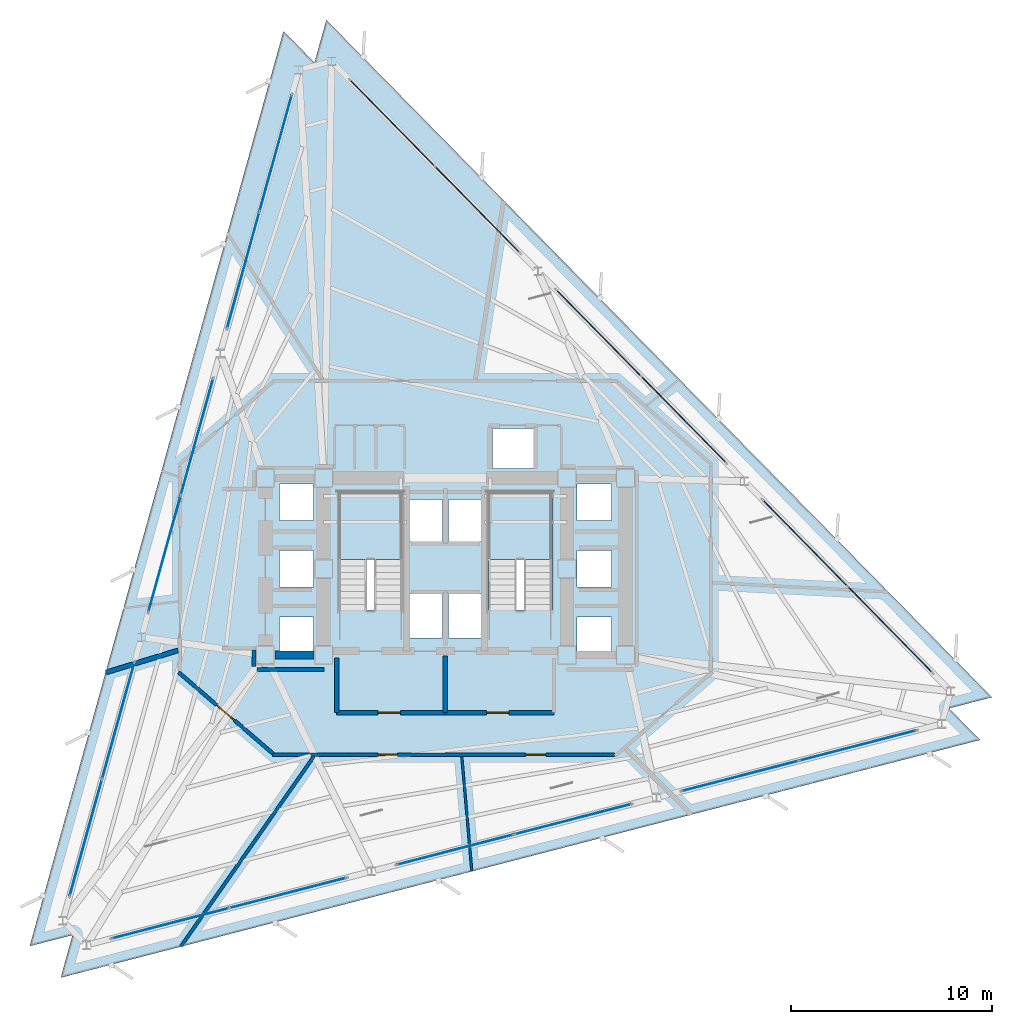
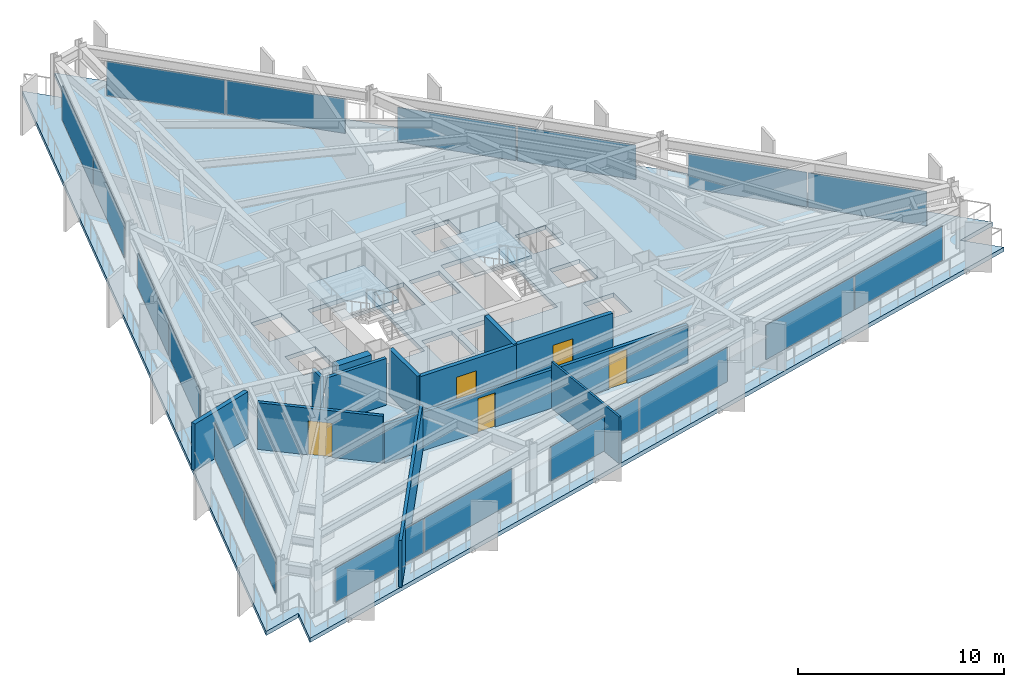
# One storey, part 6 of 11: 18 plates, 12 walls, 5 doors, 3 slabs, 5 openings, 11 elements without a shape of their own.
"""IFC4 building model written with IfcOpenShell, lengths in metres."""

from ifc_helpers import new_model, si_unit, direction, frame, frame_2d, origin, origin_2d, place, context, subcontext, project, spatial, polyline, rectangle, outline, extrude, material, layer, layer_set, type_object, element, fill, aggregate, save


model = new_model("IFC4")

# Units and contexts
model_context = context("Model", 3, precision=1e-05, world=origin(), true_north=direction((0.0, 1.0)))
body_context = subcontext(model_context, "Body", "Model", "MODEL_VIEW")
ifc_project = project(units=[si_unit("LENGTHUNIT", "METRE"), si_unit("AREAUNIT", "SQUARE_METRE"), si_unit("VOLUMEUNIT", "CUBIC_METRE"), si_unit("PLANEANGLEUNIT", "RADIAN"), si_unit("MASSUNIT", "GRAM", prefix="KILO")], contexts=[model_context])

# Site, building, storey
site_placement = place(None, origin())
site = spatial("IfcSite", under=ifc_project, at=site_placement, CompositionType="ELEMENT")
building_placement = place(site_placement, origin())
building = spatial("IfcBuilding", under=site, at=building_placement, Name="Rocaltana Carrier Exchange", CompositionType="ELEMENT")
storey_placement = place(building_placement, frame((0.0, 0.0, 91.679931640625)))
storey = spatial("IfcBuildingStorey", under=building, at=storey_placement, Name="L28", CompositionType="ELEMENT", Elevation=91.679931640625)

# Curtain wall, plates
ifc_material_1 = material(Name="Aluminium 6063-T6", Category="aluminium")
ifc_layer_1 = layer(ifc_material_1, 0.1650390625)
ifc_layer_set_1 = layer_set([ifc_layer_1], Name="Aluminium 6063-T6")
curtain_wall_type = type_object("IfcCurtainWallType", Name="Lower-Mid Stepped Curtain Wall CW-02", PredefinedType="NOTDEFINED", material=ifc_layer_set_1)
curtain_wall_1_placement = place(storey_placement, origin())
curtain_wall_1 = element("IfcCurtainWall", 1, at=curtain_wall_1_placement, inside=storey, type_object=curtain_wall_type, Name="L28 CW-02 Run CW-L28-F1S1", PredefinedType="NOTDEFINED")
ifc_material_2 = material(Name="Tempered Laminated Glass", Category="glass")
ifc_layer_2 = layer(ifc_material_2, 0.0419921875)
ifc_layer_set_2 = layer_set([ifc_layer_2], Name="Tempered Laminated Glass")
plate_type = type_object("IfcPlateType", Name="CW-02 Stone-Insulated Vision Panel", PredefinedType="CURTAIN_PANEL", material=ifc_layer_set_2)
plate_1_placement = place(storey_placement, frame((22.10400390625, -3.02490234375, 0.06494140625), z_axis=(0.0, 0.0, 1.0), x_axis=(-0.700915045542, 0.713244767898, 0.0)))
plate_1 = element("IfcPlate", 2, at=plate_1_placement, type_object=plate_type, Name="CW-02 panel 1.1", PredefinedType="CURTAIN_PANEL", context=body_context, shape_type="SweptSolid", body=[
    extrude(rectangle(XDim=5.96923828125, YDim=0.0419921875, at=origin_2d()), origin(), (0.0, 0.0, 1.0), 2.0380859375),
])
plate_2_placement = place(storey_placement, frame((17.874755859375, 1.279052734375, 0.06494140625), z_axis=(0.0, 0.0, 1.0), x_axis=(-0.700915045542, 0.713244767898, 0.0)))
plate_2 = element("IfcPlate", 3, at=plate_2_placement, type_object=plate_type, Name="CW-02 panel 2.1", PredefinedType="CURTAIN_PANEL", context=body_context, shape_type="SweptSolid", body=[
    extrude(rectangle(XDim=5.96923828125, YDim=0.0419921875, at=origin_2d()), origin(), (0.0, 0.0, 1.0), 2.0380859375),
])
aggregate(curtain_wall_1, [plate_1, plate_2])

curtain_wall_2_placement = place(storey_placement, origin())
curtain_wall_2 = element("IfcCurtainWall", 4, at=curtain_wall_2_placement, inside=storey, type_object=curtain_wall_type, Name="L28 CW-02 Run CW-L28-F1S2", PredefinedType="NOTDEFINED")
plate_3_placement = place(storey_placement, frame((11.847412109375, 7.412353515625, 0.06494140625), z_axis=(0.0, 0.0, 1.0), x_axis=(-0.700915118017, 0.713244696676, 0.0)))
plate_3 = element("IfcPlate", 5, at=plate_3_placement, type_object=plate_type, Name="CW-02 panel 1.1", PredefinedType="CURTAIN_PANEL", context=body_context, shape_type="SweptSolid", body=[
    extrude(rectangle(XDim=5.96923828125, YDim=0.0419921875, at=origin_2d()), origin(), (0.0, 0.0, 1.0), 2.0380859375),
])
plate_4_placement = place(storey_placement, frame((7.617919921875, 11.71630859375, 0.06494140625), z_axis=(0.0, 0.0, 1.0), x_axis=(-0.700915118017, 0.713244696676, 0.0)))
plate_4 = element("IfcPlate", 6, at=plate_4_placement, type_object=plate_type, Name="CW-02 panel 2.1", PredefinedType="CURTAIN_PANEL", context=body_context, shape_type="SweptSolid", body=[
    extrude(rectangle(XDim=5.96923828125, YDim=0.0419921875, at=origin_2d()), origin(), (0.0, 0.0, 1.0), 2.0380859375),
])
aggregate(curtain_wall_2, [plate_3, plate_4])

curtain_wall_3_placement = place(storey_placement, origin())
curtain_wall_3 = element("IfcCurtainWall", 7, at=curtain_wall_3_placement, inside=storey, type_object=curtain_wall_type, Name="L28 CW-02 Run CW-L28-F1S3", PredefinedType="NOTDEFINED")
plate_5_placement = place(storey_placement, frame((1.5908203125, 17.849609375, 0.06494140625), z_axis=(0.0, 0.0, 1.0), x_axis=(-0.700915045542, 0.713244767898, 0.0)))
plate_5 = element("IfcPlate", 8, at=plate_5_placement, type_object=plate_type, Name="CW-02 panel 1.1", PredefinedType="CURTAIN_PANEL", context=body_context, shape_type="SweptSolid", body=[
    extrude(rectangle(XDim=5.96923828125, YDim=0.0419921875, at=origin_2d()), origin(), (0.0, 0.0, 1.0), 2.0380859375),
])
plate_6_placement = place(storey_placement, frame((-2.638671875, 22.153564453125, 0.06494140625), z_axis=(0.0, 0.0, 1.0), x_axis=(-0.700915045542, 0.713244767898, 0.0)))
plate_6 = element("IfcPlate", 9, at=plate_6_placement, type_object=plate_type, Name="CW-02 panel 2.1", PredefinedType="CURTAIN_PANEL", context=body_context, shape_type="SweptSolid", body=[
    extrude(rectangle(XDim=5.96923828125, YDim=0.0419921875, at=origin_2d()), origin(), (0.0, 0.0, 1.0), 2.0380859375),
])
aggregate(curtain_wall_3, [plate_5, plate_6])

curtain_wall_4_placement = place(storey_placement, origin())
curtain_wall_4 = element("IfcCurtainWall", 10, at=curtain_wall_4_placement, inside=storey, type_object=curtain_wall_type, Name="L28 CW-02 Run CW-L28-F2S1", PredefinedType="NOTDEFINED")
plate_7_placement = place(storey_placement, frame((-8.432373046875, 20.655029296875, 0.06494140625), z_axis=(0.0, 0.0, 1.0), x_axis=(-0.267245546918, -0.96362846453, 0.0)))
plate_7 = element("IfcPlate", 11, at=plate_7_placement, type_object=plate_type, Name="CW-02 panel 1.1", PredefinedType="CURTAIN_PANEL", context=body_context, shape_type="SweptSolid", body=[
    extrude(rectangle(XDim=5.96923828125, YDim=0.0419921875, at=origin_2d()), origin(), (0.0, 0.0, 1.0), 2.0380859375),
])
plate_8_placement = place(storey_placement, frame((-10.045166015625, 14.84033203125, 0.06494140625), z_axis=(0.0, 0.0, 1.0), x_axis=(-0.267245546918, -0.96362846453, 0.0)))
plate_8 = element("IfcPlate", 12, at=plate_8_placement, type_object=plate_type, Name="CW-02 panel 2.1", PredefinedType="CURTAIN_PANEL", context=body_context, shape_type="SweptSolid", body=[
    extrude(rectangle(XDim=5.96923828125, YDim=0.0419921875, at=origin_2d()), origin(), (0.0, 0.0, 1.0), 2.0380859375),
])
aggregate(curtain_wall_4, [plate_7, plate_8])

curtain_wall_5_placement = place(storey_placement, origin())
curtain_wall_5 = element("IfcCurtainWall", 13, at=curtain_wall_5_placement, inside=storey, type_object=curtain_wall_type, Name="L28 CW-02 Run CW-L28-F2S2", PredefinedType="NOTDEFINED")
plate_9_placement = place(storey_placement, frame((-12.343017578125, 6.553955078125, 0.06494140625), z_axis=(0.0, 0.0, 1.0), x_axis=(-0.267237893807, -0.963630586954, 0.0)))
plate_9 = element("IfcPlate", 14, at=plate_9_placement, type_object=plate_type, Name="CW-02 panel 1.1", PredefinedType="CURTAIN_PANEL", context=body_context, shape_type="SweptSolid", body=[
    extrude(rectangle(XDim=5.96923828125, YDim=0.0419921875, at=origin_2d()), origin(), (0.0, 0.0, 1.0), 2.0380859375),
])
plate_10_placement = place(storey_placement, frame((-13.95556640625, 0.7392578125, 0.06494140625), z_axis=(0.0, 0.0, 1.0), x_axis=(-0.267237893807, -0.963630586954, 0.0)))
plate_10 = element("IfcPlate", 15, at=plate_10_placement, type_object=plate_type, Name="CW-02 panel 2.1", PredefinedType="CURTAIN_PANEL", context=body_context, shape_type="SweptSolid", body=[
    extrude(rectangle(XDim=5.96923828125, YDim=0.0419921875, at=origin_2d()), origin(), (0.0, 0.0, 1.0), 2.0380859375),
])
aggregate(curtain_wall_5, [plate_9, plate_10])

curtain_wall_6_placement = place(storey_placement, origin())
curtain_wall_6 = element("IfcCurtainWall", 16, at=curtain_wall_6_placement, inside=storey, type_object=curtain_wall_type, Name="L28 CW-02 Run CW-L28-F2S3", PredefinedType="NOTDEFINED")
plate_11_placement = place(storey_placement, frame((-16.253662109375, -7.547119140625, 0.06494140625), z_axis=(0.0, 0.0, 1.0), x_axis=(-0.267243424491, -0.963629053146, 0.0)))
plate_11 = element("IfcPlate", 17, at=plate_11_placement, type_object=plate_type, Name="CW-02 panel 1.1", PredefinedType="CURTAIN_PANEL", context=body_context, shape_type="SweptSolid", body=[
    extrude(rectangle(XDim=5.96923828125, YDim=0.0419921875, at=origin_2d()), origin(), (0.0, 0.0, 1.0), 2.0380859375),
])
plate_12_placement = place(storey_placement, frame((-17.8662109375, -13.36181640625, 0.06494140625), z_axis=(0.0, 0.0, 1.0), x_axis=(-0.267243424491, -0.963629053146, 0.0)))
plate_12 = element("IfcPlate", 18, at=plate_12_placement, type_object=plate_type, Name="CW-02 panel 2.1", PredefinedType="CURTAIN_PANEL", context=body_context, shape_type="SweptSolid", body=[
    extrude(rectangle(XDim=5.96923828125, YDim=0.0419921875, at=origin_2d()), origin(), (0.0, 0.0, 1.0), 2.0380859375),
])
aggregate(curtain_wall_6, [plate_11, plate_12])

curtain_wall_7_placement = place(storey_placement, origin())
curtain_wall_7 = element("IfcCurtainWall", 19, at=curtain_wall_7_placement, inside=storey, type_object=curtain_wall_type, Name="L28 CW-02 Run CW-L28-F3S1", PredefinedType="NOTDEFINED")
plate_13_placement = place(storey_placement, frame((-13.671630859375, -17.63037109375, 0.06494140625), z_axis=(0.0, 0.0, 1.0), x_axis=(0.968148220548, 0.250377760692, 0.0)))
plate_13 = element("IfcPlate", 20, at=plate_13_placement, type_object=plate_type, Name="CW-02 panel 1.1", PredefinedType="CURTAIN_PANEL", context=body_context, shape_type="SweptSolid", body=[
    extrude(rectangle(XDim=5.96923828125, YDim=0.0419921875, at=origin_2d()), origin(), (0.0, 0.0, 1.0), 2.0380859375),
])
plate_14_placement = place(storey_placement, frame((-7.82958984375, -16.119384765625, 0.06494140625), z_axis=(0.0, 0.0, 1.0), x_axis=(0.968148220548, 0.250377760692, 0.0)))
plate_14 = element("IfcPlate", 21, at=plate_14_placement, type_object=plate_type, Name="CW-02 panel 2.1", PredefinedType="CURTAIN_PANEL", context=body_context, shape_type="SweptSolid", body=[
    extrude(rectangle(XDim=5.96923828125, YDim=0.0419921875, at=origin_2d()), origin(), (0.0, 0.0, 1.0), 2.0380859375),
])
aggregate(curtain_wall_7, [plate_13, plate_14])

curtain_wall_8_placement = place(storey_placement, origin())
curtain_wall_8 = element("IfcCurtainWall", 22, at=curtain_wall_8_placement, inside=storey, type_object=curtain_wall_type, Name="L28 CW-02 Run CW-L28-F3S2", PredefinedType="NOTDEFINED")
plate_15_placement = place(storey_placement, frame((0.49560546875, -13.96630859375, 0.06494140625), z_axis=(0.0, 0.0, 1.0), x_axis=(0.968148220548, 0.250377760692, 0.0)))
plate_15 = element("IfcPlate", 23, at=plate_15_placement, type_object=plate_type, Name="CW-02 panel 1.1", PredefinedType="CURTAIN_PANEL", context=body_context, shape_type="SweptSolid", body=[
    extrude(rectangle(XDim=5.96923828125, YDim=0.0419921875, at=origin_2d()), origin(), (0.0, 0.0, 1.0), 2.0380859375),
])
plate_16_placement = place(storey_placement, frame((6.337646484375, -12.45556640625, 0.06494140625), z_axis=(0.0, 0.0, 1.0), x_axis=(0.968148220548, 0.250377760692, 0.0)))
plate_16 = element("IfcPlate", 24, at=plate_16_placement, type_object=plate_type, Name="CW-02 panel 2.1", PredefinedType="CURTAIN_PANEL", context=body_context, shape_type="SweptSolid", body=[
    extrude(rectangle(XDim=5.96923828125, YDim=0.0419921875, at=origin_2d()), origin(), (0.0, 0.0, 1.0), 2.0380859375),
])
aggregate(curtain_wall_8, [plate_15, plate_16])

curtain_wall_9_placement = place(storey_placement, origin())
curtain_wall_9 = element("IfcCurtainWall", 25, at=curtain_wall_9_placement, inside=storey, type_object=curtain_wall_type, Name="L28 CW-02 Run CW-L28-F3S3", PredefinedType="NOTDEFINED")
plate_17_placement = place(storey_placement, frame((14.662841796875, -10.302490234375, 0.06494140625), z_axis=(0.0, 0.0, 1.0), x_axis=(0.96815021836, 0.250370035526, 0.0)))
plate_17 = element("IfcPlate", 26, at=plate_17_placement, type_object=plate_type, Name="CW-02 panel 1.1", PredefinedType="CURTAIN_PANEL", context=body_context, shape_type="SweptSolid", body=[
    extrude(rectangle(XDim=5.96923828125, YDim=0.0419921875, at=origin_2d()), origin(), (0.0, 0.0, 1.0), 2.0380859375),
])
plate_18_placement = place(storey_placement, frame((20.5048828125, -8.791748046875, 0.06494140625), z_axis=(0.0, 0.0, 1.0), x_axis=(0.96815021836, 0.250370035526, 0.0)))
plate_18 = element("IfcPlate", 27, at=plate_18_placement, type_object=plate_type, Name="CW-02 panel 2.1", PredefinedType="CURTAIN_PANEL", context=body_context, shape_type="SweptSolid", body=[
    extrude(rectangle(XDim=5.96923828125, YDim=0.0419921875, at=origin_2d()), origin(), (0.0, 0.0, 1.0), 2.0380859375),
])
aggregate(curtain_wall_9, [plate_17, plate_18])

# Slab
ifc_material_3 = material(Name="Concrete C50/60", Category="concrete")
ifc_layer_3 = layer(ifc_material_3, 0.25)
ifc_layer_set_3 = layer_set([ifc_layer_3], Name="Concrete C50/60")
slab_type_1 = type_object("IfcSlabType", Name="Mid-Zone Tower Slab 250", PredefinedType="FLOOR", material=ifc_layer_set_3)
slab_1_placement = place(storey_placement, frame((0.0, 0.0, -0.25)))
element("IfcSlab", 28, at=slab_1_placement, inside=storey, type_object=slab_type_1, Name="L28 Structural Floor Slab", PredefinedType="FLOOR", context=body_context, shape_type="SweptSolid", body=[
    extrude(outline(polyline([(26.577880859375, -8.51220703125), (25.035888671875, -6.943115234375), (27.165771484375, -6.39208984375), (-5.9169921875, 27.273193359375), (-6.505126953125, 25.1533203125), (-8.047119140625, 26.722412109375), (-20.66064453125, -18.760986328125), (-18.53076171875, -18.210205078125), (-19.11865234375, -20.330078125), (26.577880859375, -8.51220703125)]), holes=[polyline([(-5.300048828125, -2.06005859375), (-2.139892578125, -2.06005859375), (-2.139892578125, 3.800048828125), (-5.300048828125, 3.800048828125), (-5.300048828125, -2.06005859375)]), polyline([(2.139892578125, -2.06005859375), (5.300048828125, -2.06005859375), (5.300048828125, 3.800048828125), (2.139892578125, 3.800048828125), (2.139892578125, -2.06005859375)]), polyline([(-1.85009765625, -3.449951171875), (-0.14990234375, -3.449951171875), (-0.14990234375, -1.25), (-1.85009765625, -1.25), (-1.85009765625, -3.449951171875)]), polyline([(0.14990234375, -3.449951171875), (1.85009765625, -3.449951171875), (1.85009765625, -1.25), (0.14990234375, -1.25), (0.14990234375, -3.449951171875)]), polyline([(2.35009765625, 4.97998046875), (4.39990234375, 4.97998046875), (4.39990234375, 6.97998046875), (2.35009765625, 6.97998046875), (2.35009765625, 4.97998046875)]), polyline([(-1.85009765625, 1.35009765625), (-0.14990234375, 1.35009765625), (-0.14990234375, 3.449951171875), (-1.85009765625, 3.449951171875), (-1.85009765625, 1.35009765625)]), polyline([(0.14990234375, 1.35009765625), (1.85009765625, 1.35009765625), (1.85009765625, 3.449951171875), (0.14990234375, 3.449951171875), (0.14990234375, 1.35009765625)]), polyline([(-8.25, -4.199951171875), (-6.550048828125, -4.199951171875), (-6.550048828125, -2.39990234375), (-8.25, -2.39990234375), (-8.25, -4.199951171875)]), polyline([(-8.25, -0.89990234375), (-6.550048828125, -0.89990234375), (-6.550048828125, 0.89990234375), (-8.25, 0.89990234375), (-8.25, -0.89990234375)]), polyline([(-8.25, 2.39990234375), (-6.550048828125, 2.39990234375), (-6.550048828125, 4.199951171875), (-8.25, 4.199951171875), (-8.25, 2.39990234375)]), polyline([(6.550048828125, -4.199951171875), (8.25, -4.199951171875), (8.25, -2.39990234375), (6.550048828125, -2.39990234375), (6.550048828125, -4.199951171875)]), polyline([(6.550048828125, -0.89990234375), (8.25, -0.89990234375), (8.25, 0.89990234375), (6.550048828125, 0.89990234375), (6.550048828125, -0.89990234375)]), polyline([(6.550048828125, 2.39990234375), (8.25, 2.39990234375), (8.25, 4.199951171875), (6.550048828125, 4.199951171875), (6.550048828125, 2.39990234375)])]), origin(), (0.0, 0.0, 1.0), 0.25),
])

# Stair, slab
ifc_material_4 = material(Name="Precast concrete C45/55", Category="concrete")
stair_type = type_object("IfcStairType", Name="Standard Dog-Leg Stair 160", PredefinedType="HALF_TURN_STAIR", material=ifc_material_4)
stair_1_placement = place(storey_placement, origin())
stair_1 = element("IfcStair", 29, at=stair_1_placement, inside=storey, type_object=stair_type, Name="L28 Core West Exit Stair ST-1", PredefinedType="HALF_TURN_STAIR")
ifc_material_5 = material(Name="Precast concrete C45/55", Category="concrete")
ifc_layer_4 = layer(ifc_material_5, 0.199951171875)
ifc_layer_set_4 = layer_set([ifc_layer_4], Name="Precast concrete C45/55")
slab_type_2 = type_object("IfcSlabType", Name="Precast Stair Half-Landing 200", PredefinedType="LANDING", material=ifc_layer_set_4)
slab_2_placement = place(storey_placement, frame((0.0, 0.0, 1.320068359375)))
slab_2 = element("IfcSlab", 30, at=slab_2_placement, type_object=slab_type_2, Name="ST-1 landing 1", PredefinedType="LANDING", context=body_context, shape_type="SweptSolid", body=[
    extrude(outline(polyline([(-2.139892578125, 0.4599609375), (-2.139892578125, 3.800048828125), (-5.300048828125, 3.800048828125), (-5.300048828125, 0.4599609375), (-2.139892578125, 0.4599609375)])), origin(), (0.0, 0.0, 1.0), 0.199951171875),
])
aggregate(stair_1, [slab_2])

stair_2_placement = place(storey_placement, origin())
stair_2 = element("IfcStair", 31, at=stair_2_placement, inside=storey, type_object=stair_type, Name="L28 Core East Exit Stair ST-2", PredefinedType="HALF_TURN_STAIR")
slab_3_placement = place(storey_placement, frame((0.0, 0.0, 1.320068359375)))
slab_3 = element("IfcSlab", 32, at=slab_3_placement, type_object=slab_type_2, Name="ST-2 landing 1", PredefinedType="LANDING", context=body_context, shape_type="SweptSolid", body=[
    extrude(outline(polyline([(5.300048828125, 0.4599609375), (5.300048828125, 3.800048828125), (2.139892578125, 3.800048828125), (2.139892578125, 0.4599609375), (5.300048828125, 0.4599609375)])), origin(), (0.0, 0.0, 1.0), 0.199951171875),
])
aggregate(stair_2, [slab_3])

# Walls
ifc_material_6 = material(Name="Double Acoustic Gypsum Partition", Category="gypsum")
ifc_layer_5 = layer(ifc_material_6, 0.159912109375)
ifc_layer_set_5 = layer_set([ifc_layer_5], Name="Double Acoustic Gypsum Partition")
wall_type_1 = type_object("IfcWallType", Name="Acoustic Studio Partition 160 EI60", PredefinedType="PARTITIONING", material=ifc_layer_set_5)
wall_1_placement = place(storey_placement, frame((-6.532958984375, -9.330078125, 0.0), z_axis=(0.0, 0.0, 1.0), x_axis=(-0.573567496354, -0.81915830407, 0.0)))
element("IfcWall", 33, at=wall_1_placement, inside=storey, type_object=wall_type_1, Name="L28 Suite Divider Wall D3", PredefinedType="PARTITIONING", context=body_context, shape_type="SweptSolid", body=[
    extrude(rectangle(XDim=11.530517578125, YDim=0.159912109375, at=frame_2d((5.76513671875, 0.0))), origin(), (0.0, 0.0, 1.0), 2.76318359375),
])
ifc_material_7 = material(Name="Concrete C50/60", Category="concrete")
ifc_layer_6 = layer(ifc_material_7, 0.39990234375)
ifc_layer_set_6 = layer_set([ifc_layer_6], Name="Concrete C50/60")
wall_type_2 = type_object("IfcWallType", Name="Core Internal Shear Wall 400", PredefinedType="SHEAR", material=ifc_layer_set_6)
wall_2_placement = place(storey_placement, frame((-8.47509765625, -4.300048828125, 0.0), z_axis=(0.0, 0.0, 1.0), x_axis=(1.0, 0.0, 0.0)))
element("IfcWall", 34, at=wall_2_placement, inside=storey, type_object=wall_type_2, Name="L28 Core Shear Wall CW-WWS", PredefinedType="SHEAR", context=body_context, shape_type="SweptSolid", body=[
    extrude(rectangle(XDim=1.9501953125, YDim=0.39990234375, at=frame_2d((0.97509765625, 0.0))), origin(), (0.0, 0.0, 1.0), 2.7880859375),
])

# Wall, openings, doors
ifc_material_8 = material(Name="Gypsum & Steel Stud Partition", Category="steel")
ifc_layer_7 = layer(ifc_material_8, 0.179931640625)
ifc_layer_set_7 = layer_set([ifc_layer_7], Name="Gypsum & Steel Stud Partition")
wall_type_3 = type_object("IfcWallType", Name="Corridor Fire Partition 180 EI60", PredefinedType="PARTITIONING", material=ifc_layer_set_7)
wall_3_placement = place(storey_placement, frame((8.409912109375, -9.25, 0.0), z_axis=(0.0, 0.0, 1.0), x_axis=(-1.0, 0.0, 0.0)))
wall_3 = element("IfcWall", 35, at=wall_3_placement, inside=storey, type_object=wall_type_3, Name="L28 Corridor Partition 5", PredefinedType="PARTITIONING", context=body_context, shape_type="SweptSolid", body=[
    extrude(rectangle(XDim=17.0, YDim=0.179931640625, at=frame_2d((8.5, 0.0))), origin(), (0.0, 0.0, 1.0), 2.277099609375),
])
opening_1_placement = place(wall_3_placement, frame((10.795166015625, 0.0, 0.0)))
opening_1 = element("IfcOpeningElement", 36, at=opening_1_placement, cuts=wall_3, Name="Opening D-RM098", PredefinedType="OPENING", context=body_context, shape_type="SweptSolid", body=[
    extrude(rectangle(XDim=0.9599609375, YDim=2.02001953125, at=frame_2d((0.47998046875, 1.010009765625))), frame((0.0, 0.099853515625, 0.0), z_axis=(0.0, -1.0, 0.0), x_axis=(1.0, 0.0, 0.0)), (0.0, 0.0, 1.0), 0.199951171875),
])
opening_2_placement = place(wall_3_placement, frame((3.4169921875, 0.0, 0.0)))
opening_2 = element("IfcOpeningElement", 37, at=opening_2_placement, cuts=wall_3, Name="Opening D-LB104", PredefinedType="OPENING", context=body_context, shape_type="SweptSolid", body=[
    extrude(rectangle(XDim=1.02001953125, YDim=2.02001953125, at=frame_2d((0.510009765625, 1.010009765625))), frame((0.0, 0.099853515625, 0.0), z_axis=(0.0, -1.0, 0.0), x_axis=(1.0, 0.0, 0.0)), (0.0, 0.0, 1.0), 0.199951171875),
])
ifc_material_9 = material(Name="Powder-Coated Aluminium 6063-T6", Category="aluminium")
door_type_1 = type_object("IfcDoorType", Name="Laboratory Acoustic Door 1020x2020", OperationType="NOTDEFINED", PredefinedType="DOOR", material=ifc_material_9)
door_1_placement = place(opening_2_placement, origin())
door_1 = element("IfcDoor", 38, at=door_1_placement, inside=storey, type_object=door_type_1, Name="L28 Optical Switching Laboratory Entrance Door", OperationType="SINGLE_SWING_LEFT", OverallHeight=2.02001953125, OverallWidth=1.02001953125, PredefinedType="DOOR", context=body_context, shape_type="SweptSolid", body=[
    extrude(rectangle(XDim=1.02001953125, YDim=2.02001953125, at=frame_2d((0.510009765625, 1.010009765625))), frame((0.0, 0.02490234375, 0.0), z_axis=(0.0, -1.0, 0.0), x_axis=(1.0, 0.0, 0.0)), (0.0, 0.0, 1.0), 0.050048828125),
])
fill(opening_2, door_1)
ifc_material_10 = material(Name="Engineered Hardwood Timber", Category="wood")
door_type_2 = type_object("IfcDoorType", Name="Workspace Single Door 960x2020", OperationType="NOTDEFINED", PredefinedType="DOOR", material=ifc_material_10)
door_2_placement = place(opening_1_placement, origin())
door_2 = element("IfcDoor", 39, at=door_2_placement, inside=storey, type_object=door_type_2, Name="L28 Cloud Architecture Office Entrance Door", OperationType="SINGLE_SWING_RIGHT", OverallHeight=2.02001953125, OverallWidth=0.9599609375, PredefinedType="DOOR", context=body_context, shape_type="SweptSolid", body=[
    extrude(rectangle(XDim=0.9599609375, YDim=2.02001953125, at=frame_2d((0.47998046875, 1.010009765625))), frame((0.0, 0.02490234375, 0.0), z_axis=(0.0, -1.0, 0.0), x_axis=(1.0, 0.0, 0.0)), (0.0, 0.0, 1.0), 0.050048828125),
])
fill(opening_1, door_2)

# Wall, opening, door
wall_4_placement = place(storey_placement, frame((-8.568115234375, -9.191162109375, 0.0), z_axis=(0.0, 0.0, 1.0), x_axis=(-0.757556899173, 0.652769135694, 0.0)))
wall_4 = element("IfcWall", 40, at=wall_4_placement, inside=storey, type_object=wall_type_3, Name="L28 Corridor Partition 6", PredefinedType="PARTITIONING", context=body_context, shape_type="SweptSolid", body=[
    extrude(rectangle(XDim=6.204345703125, YDim=0.179931640625, at=frame_2d((3.10205078125, 0.0))), origin(), (0.0, 0.0, 1.0), 2.76318359375),
])
opening_3_placement = place(wall_4_placement, frame((2.51220703125, 0.0, 0.0)))
opening_3 = element("IfcOpeningElement", 41, at=opening_3_placement, cuts=wall_4, Name="Opening D-SU120", PredefinedType="OPENING", context=body_context, shape_type="SweptSolid", body=[
    extrude(rectangle(XDim=1.179931640625, YDim=2.02001953125, at=frame_2d((0.58984375, 1.010009765625))), frame((0.0, 0.099853515625, 0.0), z_axis=(0.0, -1.0, 0.0), x_axis=(1.0, 0.0, 0.0)), (0.0, 0.0, 1.0), 0.199951171875),
])
ifc_material_11 = material(Name="Engineered Hardwood Timber", Category="wood")
door_type_3 = type_object("IfcDoorType", Name="Suite Double Entrance Door 1180x2020", OperationType="NOTDEFINED", PredefinedType="DOOR", material=ifc_material_11)
door_3_placement = place(opening_3_placement, origin())
door_3 = element("IfcDoor", 42, at=door_3_placement, inside=storey, type_object=door_type_3, Name="L28 Carrier Peering Suite Entrance Door", OperationType="SINGLE_SWING_LEFT", OverallHeight=2.02001953125, OverallWidth=1.179931640625, PredefinedType="DOOR", context=body_context, shape_type="SweptSolid", body=[
    extrude(rectangle(XDim=1.179931640625, YDim=2.02001953125, at=frame_2d((0.58984375, 1.010009765625))), frame((0.0, 0.02490234375, 0.0), z_axis=(0.0, -1.0, 0.0), x_axis=(1.0, 0.0, 0.0)), (0.0, 0.0, 1.0), 0.050048828125),
])
fill(opening_3, door_3)

# Walls
wall_5_placement = place(storey_placement, frame((-9.510009765625, -4.050048828125, 0.0), z_axis=(0.0, 0.0, 1.0), x_axis=(0.0, -1.0, 0.0)))
element("IfcWall", 43, at=wall_5_placement, inside=storey, type_object=wall_type_3, Name="L28 Corridor Partition 12", PredefinedType="PARTITIONING", context=body_context, shape_type="SweptSolid", body=[
    extrude(rectangle(XDim=0.820068359375, YDim=0.179931640625, at=frame_2d((0.41015625, 0.0))), origin(), (0.0, 0.0, 1.0), 2.76318359375),
])
wall_6_placement = place(storey_placement, frame((-9.3701171875, -5.010009765625, 0.0), z_axis=(0.0, 0.0, 1.0), x_axis=(1.0, 0.0, 0.0)))
element("IfcWall", 44, at=wall_6_placement, inside=storey, type_object=wall_type_3, Name="L28 Corridor Partition 13", PredefinedType="PARTITIONING", context=body_context, shape_type="SweptSolid", body=[
    extrude(rectangle(XDim=3.340087890625, YDim=0.179931640625, at=frame_2d((1.669921875, 0.0))), origin(), (0.0, 0.0, 1.0), 2.76318359375),
])
ifc_material_12 = material(Name="Aluminium 6063-T6 & Acoustic Glass", Category="aluminium")
ifc_layer_8 = layer(ifc_material_12, 0.114990234375)
ifc_layer_set_8 = layer_set([ifc_layer_8], Name="Aluminium 6063-T6 & Acoustic Glass")
wall_type_4 = type_object("IfcWallType", Name="Demountable Glazed Lab Partition 115", PredefinedType="MOVABLE", material=ifc_layer_set_8)
wall_7_placement = place(storey_placement, frame((0.81640625, -9.330078125, 0.0), z_axis=(0.0, 0.0, 1.0), x_axis=(0.087137335428, -0.996196308352, 0.0)))
element("IfcWall", 45, at=wall_7_placement, inside=storey, type_object=wall_type_4, Name="L28 Suite Divider Wall D4", PredefinedType="MOVABLE", context=body_context, shape_type="SweptSolid", body=[
    extrude(rectangle(XDim=5.726806640625, YDim=0.114990234375, at=frame_2d((2.86328125, 0.0))), origin(), (0.0, 0.0, 1.0), 2.76318359375),
])
ifc_material_13 = material(Name="Autoclaved Aerated Concrete C30/37", Category="concrete")
ifc_layer_9 = layer(ifc_material_13, 0.219970703125)
ifc_layer_set_9 = layer_set([ifc_layer_9], Name="Autoclaved Aerated Concrete C30/37")
wall_type_5 = type_object("IfcWallType", Name="Firefighting Lobby Wall 220 EI120", PredefinedType="PARTITIONING", material=ifc_layer_set_9)
wall_8_placement = place(storey_placement, frame((-5.39990234375, -7.159912109375, 0.0), z_axis=(0.0, 0.0, 1.0), x_axis=(0.0, 1.0, 0.0)))
element("IfcWall", 46, at=wall_8_placement, inside=storey, type_object=wall_type_5, Name="L28 FFL Lobby 1 West Wall", PredefinedType="PARTITIONING", context=body_context, shape_type="SweptSolid", body=[
    extrude(rectangle(XDim=2.7099609375, YDim=0.219970703125, at=frame_2d((1.35498046875, 0.0))), origin(), (0.0, 0.0, 1.0), 2.76318359375),
])
wall_9_placement = place(storey_placement, frame((0.0, -7.159912109375, 0.0), z_axis=(0.0, 0.0, 1.0), x_axis=(0.0, 1.0, 0.0)))
element("IfcWall", 47, at=wall_9_placement, inside=storey, type_object=wall_type_5, Name="L28 FFL Lobby Centre Wall", PredefinedType="PARTITIONING", context=body_context, shape_type="SweptSolid", body=[
    extrude(rectangle(XDim=2.809814453125, YDim=0.219970703125, at=frame_2d((1.40478515625, 0.0))), origin(), (0.0, 0.0, 1.0), 2.76318359375),
])

# Wall, opening, door
wall_10_placement = place(storey_placement, frame((-5.39990234375, -7.159912109375, 0.0), z_axis=(0.0, 0.0, 1.0), x_axis=(1.0, 0.0, 0.0)))
wall_10 = element("IfcWall", 48, at=wall_10_placement, inside=storey, type_object=wall_type_5, Name="L28 FFL Lobby 1 South Wall", PredefinedType="PARTITIONING", context=body_context, shape_type="SweptSolid", body=[
    extrude(rectangle(XDim=5.39990234375, YDim=0.219970703125, at=frame_2d((2.699951171875, 0.0))), origin(), (0.0, 0.0, 1.0), 2.76318359375),
])
opening_4_placement = place(wall_10_placement, frame((2.050048828125, 0.0, 0.0)))
opening_4 = element("IfcOpeningElement", 49, at=opening_4_placement, cuts=wall_10, Name="Opening D-FF115", PredefinedType="OPENING", context=body_context, shape_type="SweptSolid", body=[
    extrude(rectangle(XDim=1.1201171875, YDim=2.02001953125, at=frame_2d((0.56005859375, 1.010009765625))), frame((0.0, 0.119873046875, 0.0), z_axis=(0.0, -1.0, 0.0), x_axis=(1.0, 0.0, 0.0)), (0.0, 0.0, 1.0), 0.239990234375),
])
ifc_material_14 = material(Name="Hollow Metal Fire Door Assembly", Category="steel")
door_type_4 = type_object("IfcDoorType", Name="Firefighting Lobby Door 1120x2020 FD60S", OperationType="NOTDEFINED", PredefinedType="DOOR", material=ifc_material_14)
door_4_placement = place(opening_4_placement, origin())
door_4 = element("IfcDoor", 50, at=door_4_placement, inside=storey, type_object=door_type_4, Name="L28 Firefighting Lift Lobby 1 Door", OperationType="SINGLE_SWING_RIGHT", OverallHeight=2.02001953125, OverallWidth=1.1201171875, PredefinedType="DOOR", context=body_context, shape_type="SweptSolid", body=[
    extrude(rectangle(XDim=1.1201171875, YDim=2.02001953125, at=frame_2d((0.56005859375, 1.010009765625))), frame((0.0, 0.02490234375, 0.0), z_axis=(0.0, -1.0, 0.0), x_axis=(1.0, 0.0, 0.0)), (0.0, 0.0, 1.0), 0.050048828125),
])
fill(opening_4, door_4)

wall_11_placement = place(storey_placement, frame((0.0, -7.159912109375, 0.0), z_axis=(0.0, 0.0, 1.0), x_axis=(1.0, 0.0, 0.0)))
wall_11 = element("IfcWall", 51, at=wall_11_placement, inside=storey, type_object=wall_type_5, Name="L28 FFL Lobby 2 South Wall", PredefinedType="PARTITIONING", context=body_context, shape_type="SweptSolid", body=[
    extrude(rectangle(XDim=5.39990234375, YDim=0.219970703125, at=frame_2d((2.699951171875, 0.0))), origin(), (0.0, 0.0, 1.0), 2.76318359375),
])
opening_5_placement = place(wall_11_placement, frame((2.050048828125, 0.0, 0.0)))
opening_5 = element("IfcOpeningElement", 52, at=opening_5_placement, cuts=wall_11, Name="Opening D-FF115", PredefinedType="OPENING", context=body_context, shape_type="SweptSolid", body=[
    extrude(rectangle(XDim=1.1201171875, YDim=2.02001953125, at=frame_2d((0.56005859375, 1.010009765625))), frame((0.0, 0.119873046875, 0.0), z_axis=(0.0, -1.0, 0.0), x_axis=(1.0, 0.0, 0.0)), (0.0, 0.0, 1.0), 0.239990234375),
])
door_5_placement = place(opening_5_placement, origin())
door_5 = element("IfcDoor", 53, at=door_5_placement, inside=storey, type_object=door_type_4, Name="L28 Firefighting Lift Lobby 2 Door", OperationType="SINGLE_SWING_LEFT", OverallHeight=2.02001953125, OverallWidth=1.1201171875, PredefinedType="DOOR", context=body_context, shape_type="SweptSolid", body=[
    extrude(rectangle(XDim=1.1201171875, YDim=2.02001953125, at=frame_2d((0.56005859375, 1.010009765625))), frame((0.0, 0.02490234375, 0.0), z_axis=(0.0, -1.0, 0.0), x_axis=(1.0, 0.0, 0.0)), (0.0, 0.0, 1.0), 0.050048828125),
])
fill(opening_5, door_5)

# Wall
ifc_material_15 = material(Name="Acoustic Calcium Silicate Partition", Category="gypsum")
ifc_layer_10 = layer(ifc_material_15, 0.239990234375)
ifc_layer_set_10 = layer_set([ifc_layer_10], Name="Acoustic Calcium Silicate Partition")
wall_type_6 = type_object("IfcWallType", Name="Heavy Lab Partition 240 EI90", PredefinedType="PARTITIONING", material=ifc_layer_set_10)
wall_12_placement = place(storey_placement, frame((-13.280029296875, -4.06005859375, 0.0), z_axis=(0.0, 0.0, 1.0), x_axis=(-0.956289598412, -0.292421278244, 0.0)))
element("IfcWall", 54, at=wall_12_placement, inside=storey, type_object=wall_type_6, Name="L28 Suite Divider Wall D2", PredefinedType="PARTITIONING", context=body_context, shape_type="SweptSolid", body=[
    extrude(rectangle(XDim=3.762939453125, YDim=0.239990234375, at=frame_2d((1.88134765625, 0.0))), origin(), (0.0, 0.0, 1.0), 2.76318359375),
])

save(model, "model.ifc")
